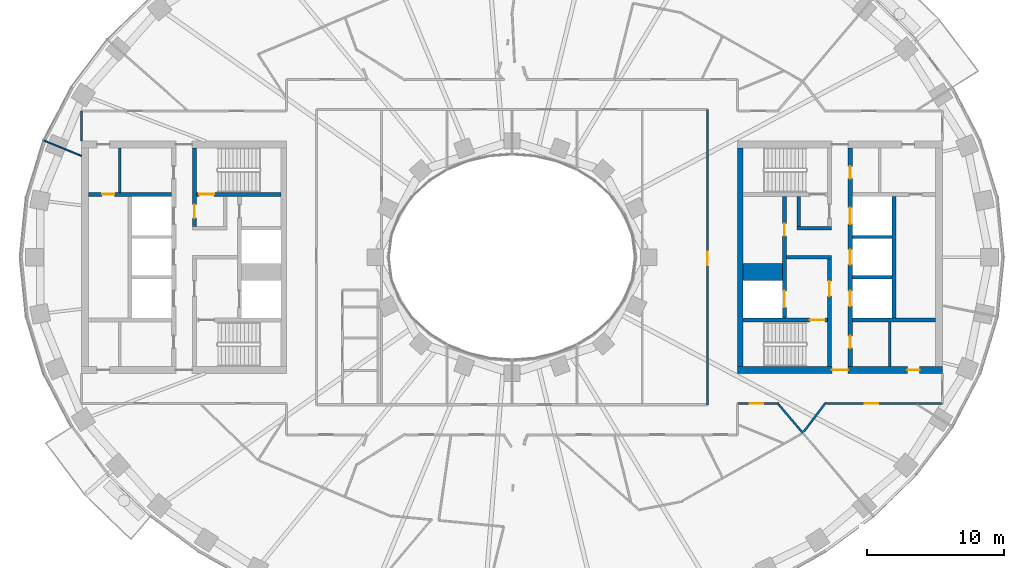
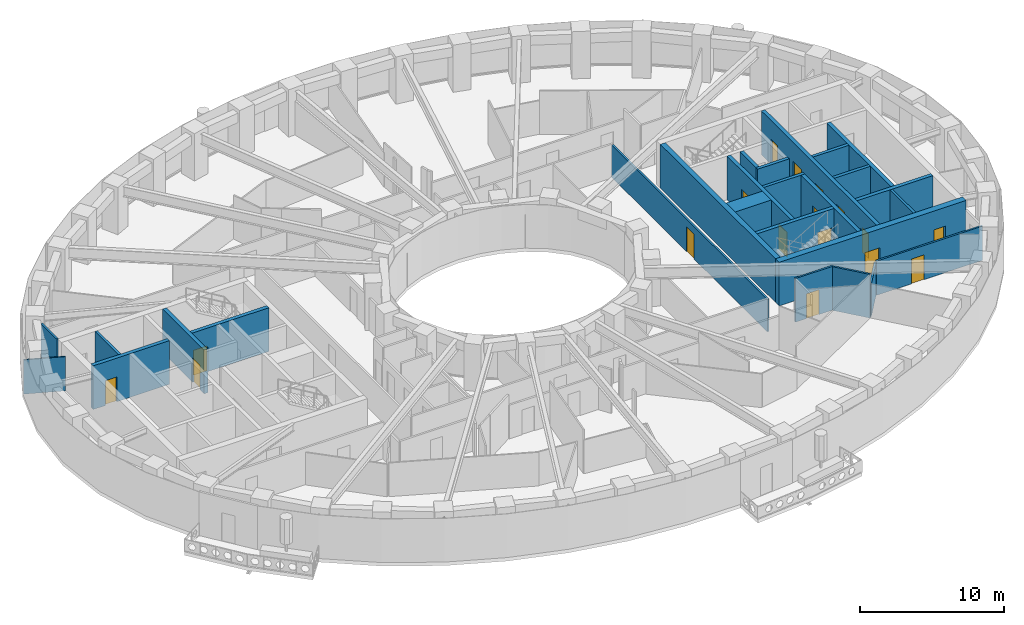
# One storey, part 5 of 16: 26 walls, 17 doors, 17 openings.
"""IFC4 building model written with IfcOpenShell, lengths in metres."""

from ifc_helpers import new_model, si_unit, direction, frame, frame_2d, origin, place, context, subcontext, project, spatial, rectangle, extrude, material, layer, layer_set, type_object, element, fill, save


model = new_model("IFC4")

# Units and contexts
model_context = context("Model", 3, precision=1e-05, world=origin(), true_north=direction((0.0, 1.0)))
body_context = subcontext(model_context, "Body", "Model", "MODEL_VIEW")
ifc_project = project(units=[si_unit("LENGTHUNIT", "METRE"), si_unit("AREAUNIT", "SQUARE_METRE"), si_unit("VOLUMEUNIT", "CUBIC_METRE"), si_unit("PLANEANGLEUNIT", "RADIAN"), si_unit("MASSUNIT", "GRAM", prefix="KILO")], contexts=[model_context])

# Site, building, storey
site_placement = place(None, origin())
site = spatial("IfcSite", under=ifc_project, at=site_placement, CompositionType="ELEMENT")
building_placement = place(site_placement, origin())
building = spatial("IfcBuilding", under=site, at=building_placement, Name="Noorbagh Ring Tower", CompositionType="ELEMENT")
storey_placement = place(building_placement, frame((0.0, 0.0, 96.0)))
storey = spatial("IfcBuildingStorey", under=building, at=storey_placement, Name="L21", CompositionType="ELEMENT", Elevation=96.0)

# Walls
ifc_material_1 = material(Name="Gypsum board on steel studs", Category="steel")
ifc_layer_1 = layer(ifc_material_1, 0.199951171875)
ifc_layer_set_1 = layer_set([ifc_layer_1], Name="Gypsum board on steel studs")
wall_type_1 = type_object("IfcWallType", Name="CORE-PARTITION-200", PredefinedType="PARTITIONING", material=ifc_layer_set_1)
for number, where, z_axis, x_axis, name in (
    (1, (-28.699951171875, 4.75, 0.0), (0.0, 0.0, 1.0), (0.0, 1.0, 0.0), "Core partition W"),
    (2, (27.64990234375, -8.0, 0.0), (0.0, 0.0, 1.0), (0.0, 1.0, 0.0), "Core partition E"),
):
    element("IfcWall", number, at=place(storey_placement, frame(where, z_axis=z_axis, x_axis=x_axis)), inside=storey, type_object=wall_type_1, Name=name, PredefinedType="PARTITIONING", context=body_context, shape_type="SweptSolid", body=[
        extrude(rectangle(XDim=3.25, YDim=0.199951171875, at=frame_2d((1.625, 0.0))), origin(), (0.0, 0.0, 1.0), 3.699951171875),
    ])
ifc_material_2 = material(Name="Concrete C70/85", Category="concrete")
ifc_layer_2 = layer(ifc_material_2, 1.25)
ifc_layer_set_2 = layer_set([ifc_layer_2], Name="Concrete C70/85")
wall_type_2 = type_object("IfcWallType", Name="CORE-WALL-1250-C70-85-EI120", PredefinedType="SHEAR", material=ifc_layer_set_2)
wall_1_placement = place(storey_placement, frame((16.89990234375, -1.074951171875, 0.0), z_axis=(0.0, 0.0, 1.0), x_axis=(1.0, 0.0, 0.0)))
element("IfcWall", 3, at=wall_1_placement, inside=storey, type_object=wall_type_2, Name="Core wall E", PredefinedType="SHEAR", context=body_context, shape_type="SweptSolid", body=[
    extrude(rectangle(XDim=2.900146484375, YDim=1.25, at=frame_2d((1.4501953125, 0.0))), origin(), (0.0, 0.0, 1.0), 3.699951171875),
])
ifc_material_3 = material(Name="Concrete C70/85", Category="concrete")
ifc_layer_3 = layer(ifc_material_3, 0.25)
ifc_layer_set_3 = layer_set([ifc_layer_3], Name="Concrete C70/85")
wall_type_3 = type_object("IfcWallType", Name="CORE-WALL-250-C70-85-EI120", PredefinedType="SHEAR", material=ifc_layer_set_3)
for number, where, z_axis, x_axis, name in (
    (4, (24.89990234375, -1.47509765625, 0.0), (0.0, 0.0, 1.0), (1.0, 0.0, 0.0), "Core wall E"),
    (5, (24.89990234375, 1.47509765625, 0.0), (0.0, 0.0, 1.0), (1.0, 0.0, 0.0), "Core wall E"),
):
    element("IfcWall", number, at=place(storey_placement, frame(where, z_axis=z_axis, x_axis=x_axis)), inside=storey, type_object=wall_type_3, Name=name, PredefinedType="SHEAR", context=body_context, shape_type="SweptSolid", body=[
        extrude(rectangle(XDim=2.900146484375, YDim=0.25, at=frame_2d((1.4501953125, 0.0))), origin(), (0.0, 0.0, 1.0), 3.699951171875),
    ])
ifc_material_4 = material(Name="Concrete C70/85", Category="concrete")
ifc_layer_4 = layer(ifc_material_4, 0.25)
ifc_layer_set_4 = layer_set([ifc_layer_4], Name="Concrete C70/85")
wall_type_4 = type_object("IfcWallType", Name="CORE-WALL-250-C70-85-EI240", PredefinedType="SHEAR", material=ifc_layer_set_4)
wall_2_placement = place(storey_placement, frame((20.10009765625, 0.0, 0.0), z_axis=(0.0, 0.0, 1.0), x_axis=(1.0, 0.0, 0.0)))
element("IfcWall", 6, at=wall_2_placement, inside=storey, type_object=wall_type_4, Name="Core wall E", PredefinedType="SHEAR", context=body_context, shape_type="SweptSolid", body=[
    extrude(rectangle(XDim=3.27978515625, YDim=0.25, at=frame_2d((1.639892578125, 0.0))), origin(), (0.0, 0.0, 1.0), 3.699951171875),
])
wall_3_placement = place(storey_placement, frame((20.85009765625, 2.125, 0.0), z_axis=(0.0, 0.0, 1.0), x_axis=(1.0, 0.0, 0.0)))
element("IfcWall", 7, at=wall_3_placement, inside=storey, type_object=wall_type_4, Name="Core wall E", PredefinedType="SHEAR", context=body_context, shape_type="SweptSolid", body=[
    extrude(rectangle(XDim=2.52978515625, YDim=0.25, at=frame_2d((1.264892578125, 0.0))), origin(), (0.0, 0.0, 1.0), 3.699951171875),
])
wall_4_placement = place(storey_placement, frame((20.97509765625, 2.25, 0.0), z_axis=(0.0, 0.0, 1.0), x_axis=(0.0, 1.0, 0.0)))
element("IfcWall", 8, at=wall_4_placement, inside=storey, type_object=wall_type_4, Name="Core wall E", PredefinedType="SHEAR", context=body_context, shape_type="SweptSolid", body=[
    extrude(rectangle(XDim=2.199951171875, YDim=0.25, at=frame_2d((1.10009765625, 0.0))), origin(), (0.0, 0.0, 1.0), 3.699951171875),
])
ifc_material_5 = material(Name="Concrete C70/85", Category="concrete")
ifc_layer_5 = layer(ifc_material_5, 0.300048828125)
ifc_layer_set_5 = layer_set([ifc_layer_5], Name="Concrete C70/85")
wall_type_5 = type_object("IfcWallType", Name="CORE-WALL-300-C70-85-EI120", PredefinedType="SHEAR", material=ifc_layer_set_5)
wall_5_placement = place(storey_placement, frame((27.949951171875, -4.449951171875, 0.0), z_axis=(0.0, 0.0, 1.0), x_axis=(0.0, 1.0, 0.0)))
element("IfcWall", 9, at=wall_5_placement, inside=storey, type_object=wall_type_5, Name="Core wall E", PredefinedType="SHEAR", context=body_context, shape_type="SweptSolid", body=[
    extrude(rectangle(XDim=8.89990234375, YDim=0.300048828125, at=frame_2d((4.449951171875, 0.0))), origin(), (0.0, 0.0, 1.0), 3.699951171875),
])

# Wall, openings, doors
wall_6_placement = place(storey_placement, frame((19.949951171875, -4.449951171875, 0.0), z_axis=(0.0, 0.0, 1.0), x_axis=(0.0, 1.0, 0.0)))
wall_6 = element("IfcWall", 10, at=wall_6_placement, inside=storey, type_object=wall_type_5, Name="Core wall E", PredefinedType="SHEAR", context=body_context, shape_type="SweptSolid", body=[
    extrude(rectangle(XDim=8.89990234375, YDim=0.300048828125, at=frame_2d((4.449951171875, 0.0))), origin(), (0.0, 0.0, 1.0), 3.699951171875),
])
opening_1_placement = place(wall_6_placement, frame((0.77490234375, 0.0, 0.0)))
opening_1 = element("IfcOpeningElement", 11, at=opening_1_placement, cuts=wall_6, Name="Opening L21-CE01", PredefinedType="OPENING", context=body_context, shape_type="SweptSolid", body=[
    extrude(rectangle(XDim=1.199951171875, YDim=2.10009765625, at=frame_2d((0.60009765625, 1.050048828125))), frame((0.0, 0.16015625, 0.0), z_axis=(0.0, -1.0, 0.0), x_axis=(1.0, 0.0, 0.0)), (0.0, 0.0, 1.0), 0.320068359375),
])
opening_2_placement = place(wall_6_placement, frame((6.0, 0.0, 0.0)))
opening_2 = element("IfcOpeningElement", 12, at=opening_2_placement, cuts=wall_6, Name="Opening L21-CE11", PredefinedType="OPENING", context=body_context, shape_type="SweptSolid", body=[
    extrude(rectangle(XDim=0.89990234375, YDim=2.10009765625, at=frame_2d((0.449951171875, 1.050048828125))), frame((0.0, 0.16015625, 0.0), z_axis=(0.0, -1.0, 0.0), x_axis=(1.0, 0.0, 0.0)), (0.0, 0.0, 1.0), 0.320068359375),
])
ifc_material_6 = material(Name="Steel door leaf", Category="steel")
door_type_1 = type_object("IfcDoorType", Name="CORE-DOOR-DROOM", OperationType="SINGLE_SWING_LEFT", PredefinedType="DOOR", material=ifc_material_6)
door_1_placement = place(opening_2_placement, origin())
door_1 = element("IfcDoor", 13, at=door_1_placement, inside=storey, type_object=door_type_1, Name="Core room door L21-CE11", OperationType="SINGLE_SWING_RIGHT", OverallHeight=2.10009765625, OverallWidth=0.89990234375, PredefinedType="DOOR", context=body_context, shape_type="SweptSolid", body=[
    extrude(rectangle(XDim=0.89990234375, YDim=2.10009765625, at=frame_2d((0.449951171875, 1.050048828125))), frame((0.0, 0.02490234375, 0.0), z_axis=(0.0, -1.0, 0.0), x_axis=(1.0, 0.0, 0.0)), (0.0, 0.0, 1.0), 0.050048828125),
])
fill(opening_2, door_1)
ifc_material_7 = material(Name="Steel door leaf", Category="steel")
door_type_2 = type_object("IfcDoorType", Name="CORE-DOOR-LDW", OperationType="DOUBLE_DOOR_SLIDING", PredefinedType="DOOR", material=ifc_material_7)
door_2_placement = place(opening_1_placement, origin())
door_2 = element("IfcDoor", 14, at=door_2_placement, inside=storey, type_object=door_type_2, Name="Landing door FF2 L21-CE01", OperationType="DOUBLE_DOOR_SLIDING", OverallHeight=2.10009765625, OverallWidth=1.199951171875, PredefinedType="DOOR", context=body_context, shape_type="SweptSolid", body=[
    extrude(rectangle(XDim=1.199951171875, YDim=2.10009765625, at=frame_2d((0.60009765625, 1.050048828125))), frame((0.0, 0.02490234375, 0.0), z_axis=(0.0, -1.0, 0.0), x_axis=(1.0, 0.0, 0.0)), (0.0, 0.0, 1.0), 0.050048828125),
])
fill(opening_1, door_2)

wall_7_placement = place(storey_placement, frame((24.75, -8.0, 0.0), z_axis=(0.0, 0.0, 1.0), x_axis=(0.0, 1.0, 0.0)))
wall_7 = element("IfcWall", 15, at=wall_7_placement, inside=storey, type_object=wall_type_5, Name="Core wall E", PredefinedType="SHEAR", context=body_context, shape_type="SweptSolid", body=[
    extrude(rectangle(XDim=16.0, YDim=0.300048828125, at=frame_2d((8.0, 0.0))), origin(), (0.0, 0.0, 1.0), 3.699951171875),
])
opening_3_placement = place(wall_7_placement, frame((4.425048828125, 0.0, 0.0)))
opening_3 = element("IfcOpeningElement", 16, at=opening_3_placement, cuts=wall_7, Name="Opening L21-CE02", PredefinedType="OPENING", context=body_context, shape_type="SweptSolid", body=[
    extrude(rectangle(XDim=1.10009765625, YDim=2.10009765625, at=frame_2d((0.550048828125, 1.050048828125))), frame((0.0, 0.16015625, 0.0), z_axis=(0.0, -1.0, 0.0), x_axis=(1.0, 0.0, 0.0)), (0.0, 0.0, 1.0), 0.320068359375),
])
opening_4_placement = place(wall_7_placement, frame((7.449951171875, 0.0, 0.0)))
opening_4 = element("IfcOpeningElement", 17, at=opening_4_placement, cuts=wall_7, Name="Opening L21-CE03", PredefinedType="OPENING", context=body_context, shape_type="SweptSolid", body=[
    extrude(rectangle(XDim=1.10009765625, YDim=2.10009765625, at=frame_2d((0.550048828125, 1.050048828125))), frame((0.0, 0.16015625, 0.0), z_axis=(0.0, -1.0, 0.0), x_axis=(1.0, 0.0, 0.0)), (0.0, 0.0, 1.0), 0.320068359375),
])
opening_5_placement = place(wall_7_placement, frame((10.425048828125, 0.0, 0.0)))
opening_5 = element("IfcOpeningElement", 18, at=opening_5_placement, cuts=wall_7, Name="Opening L21-CE04", PredefinedType="OPENING", context=body_context, shape_type="SweptSolid", body=[
    extrude(rectangle(XDim=1.199951171875, YDim=2.10009765625, at=frame_2d((0.60009765625, 1.050048828125))), frame((0.0, 0.16015625, 0.0), z_axis=(0.0, -1.0, 0.0), x_axis=(1.0, 0.0, 0.0)), (0.0, 0.0, 1.0), 0.320068359375),
])
opening_6_placement = place(wall_7_placement, frame((13.75, 0.0, 0.0)))
opening_6 = element("IfcOpeningElement", 19, at=opening_6_placement, cuts=wall_7, Name="Opening L21-CE12", PredefinedType="OPENING", context=body_context, shape_type="SweptSolid", body=[
    extrude(rectangle(XDim=0.89990234375, YDim=2.10009765625, at=frame_2d((0.449951171875, 1.050048828125))), frame((0.0, 0.16015625, 0.0), z_axis=(0.0, -1.0, 0.0), x_axis=(1.0, 0.0, 0.0)), (0.0, 0.0, 1.0), 0.320068359375),
])
opening_7_placement = place(wall_7_placement, frame((1.35009765625, 0.0, 0.0)))
opening_7 = element("IfcOpeningElement", 20, at=opening_7_placement, cuts=wall_7, Name="Opening L21-CE14", PredefinedType="OPENING", context=body_context, shape_type="SweptSolid", body=[
    extrude(rectangle(XDim=0.89990234375, YDim=2.10009765625, at=frame_2d((0.449951171875, 1.050048828125))), frame((0.0, 0.16015625, 0.0), z_axis=(0.0, -1.0, 0.0), x_axis=(1.0, 0.0, 0.0)), (0.0, 0.0, 1.0), 0.320068359375),
])
door_3_placement = place(opening_6_placement, origin())
door_3 = element("IfcDoor", 21, at=door_3_placement, inside=storey, type_object=door_type_1, Name="Core room door L21-CE12", OperationType="SINGLE_SWING_LEFT", OverallHeight=2.10009765625, OverallWidth=0.89990234375, PredefinedType="DOOR", context=body_context, shape_type="SweptSolid", body=[
    extrude(rectangle(XDim=0.89990234375, YDim=2.10009765625, at=frame_2d((0.449951171875, 1.050048828125))), frame((0.0, 0.02490234375, 0.0), z_axis=(0.0, -1.0, 0.0), x_axis=(1.0, 0.0, 0.0)), (0.0, 0.0, 1.0), 0.050048828125),
])
fill(opening_6, door_3)
door_4_placement = place(opening_7_placement, origin())
door_4 = element("IfcDoor", 22, at=door_4_placement, inside=storey, type_object=door_type_1, Name="Core room door L21-CE14", OperationType="SINGLE_SWING_RIGHT", OverallHeight=2.10009765625, OverallWidth=0.89990234375, PredefinedType="DOOR", context=body_context, shape_type="SweptSolid", body=[
    extrude(rectangle(XDim=0.89990234375, YDim=2.10009765625, at=frame_2d((0.449951171875, 1.050048828125))), frame((0.0, 0.02490234375, 0.0), z_axis=(0.0, -1.0, 0.0), x_axis=(1.0, 0.0, 0.0)), (0.0, 0.0, 1.0), 0.050048828125),
])
fill(opening_7, door_4)
ifc_material_8 = material(Name="Steel door leaf", Category="steel")
door_type_3 = type_object("IfcDoorType", Name="CORE-DOOR-LD", OperationType="DOUBLE_DOOR_SLIDING", PredefinedType="DOOR", material=ifc_material_8)
door_5_placement = place(opening_3_placement, origin())
door_5 = element("IfcDoor", 23, at=door_5_placement, inside=storey, type_object=door_type_3, Name="Landing door LR3 L21-CE02", OperationType="DOUBLE_DOOR_SLIDING", OverallHeight=2.10009765625, OverallWidth=1.10009765625, PredefinedType="DOOR", context=body_context, shape_type="SweptSolid", body=[
    extrude(rectangle(XDim=1.10009765625, YDim=2.10009765625, at=frame_2d((0.550048828125, 1.050048828125))), frame((0.0, 0.02490234375, 0.0), z_axis=(0.0, -1.0, 0.0), x_axis=(1.0, 0.0, 0.0)), (0.0, 0.0, 1.0), 0.050048828125),
])
fill(opening_3, door_5)
door_6_placement = place(opening_4_placement, origin())
door_6 = element("IfcDoor", 24, at=door_6_placement, inside=storey, type_object=door_type_3, Name="Landing door LR4 L21-CE03", OperationType="DOUBLE_DOOR_SLIDING", OverallHeight=2.10009765625, OverallWidth=1.10009765625, PredefinedType="DOOR", context=body_context, shape_type="SweptSolid", body=[
    extrude(rectangle(XDim=1.10009765625, YDim=2.10009765625, at=frame_2d((0.550048828125, 1.050048828125))), frame((0.0, 0.02490234375, 0.0), z_axis=(0.0, -1.0, 0.0), x_axis=(1.0, 0.0, 0.0)), (0.0, 0.0, 1.0), 0.050048828125),
])
fill(opening_4, door_6)
door_7_placement = place(opening_5_placement, origin())
door_7 = element("IfcDoor", 25, at=door_7_placement, inside=storey, type_object=door_type_2, Name="Landing door SV2 L21-CE04", OperationType="DOUBLE_DOOR_SLIDING", OverallHeight=2.10009765625, OverallWidth=1.199951171875, PredefinedType="DOOR", context=body_context, shape_type="SweptSolid", body=[
    extrude(rectangle(XDim=1.199951171875, YDim=2.10009765625, at=frame_2d((0.60009765625, 1.050048828125))), frame((0.0, 0.02490234375, 0.0), z_axis=(0.0, -1.0, 0.0), x_axis=(1.0, 0.0, 0.0)), (0.0, 0.0, 1.0), 0.050048828125),
])
fill(opening_5, door_7)

# Wall, opening, door
ifc_material_9 = material(Name="Concrete C70/85", Category="concrete")
ifc_layer_6 = layer(ifc_material_9, 0.300048828125)
ifc_layer_set_6 = layer_set([ifc_layer_6], Name="Concrete C70/85")
wall_type_6 = type_object("IfcWallType", Name="CORE-WALL-300-C70-85-EI240", PredefinedType="SHEAR", material=ifc_layer_set_6)
wall_8_placement = place(storey_placement, frame((-24.89990234375, 4.60009765625, 0.0), z_axis=(0.0, 0.0, 1.0), x_axis=(-1.0, 0.0, 0.0)))
wall_8 = element("IfcWall", 26, at=wall_8_placement, inside=storey, type_object=wall_type_6, Name="Core wall W", PredefinedType="SHEAR", context=body_context, shape_type="SweptSolid", body=[
    extrude(rectangle(XDim=6.10009765625, YDim=0.300048828125, at=frame_2d((3.050048828125, 0.0))), origin(), (0.0, 0.0, 1.0), 3.699951171875),
])
opening_8_placement = place(wall_8_placement, frame((4.199951171875, 0.0, 0.0)))
opening_8 = element("IfcOpeningElement", 27, at=opening_8_placement, cuts=wall_8, Name="Opening L21-CW16", PredefinedType="OPENING", context=body_context, shape_type="SweptSolid", body=[
    extrude(rectangle(XDim=0.89990234375, YDim=2.10009765625, at=frame_2d((0.449951171875, 1.050048828125))), frame((0.0, 0.16015625, 0.0), z_axis=(0.0, -1.0, 0.0), x_axis=(1.0, 0.0, 0.0)), (0.0, 0.0, 1.0), 0.320068359375),
])
door_8_placement = place(opening_8_placement, origin())
door_8 = element("IfcDoor", 28, at=door_8_placement, inside=storey, type_object=door_type_1, Name="Core room door L21-CW16", OperationType="SINGLE_SWING_LEFT", OverallHeight=2.10009765625, OverallWidth=0.89990234375, PredefinedType="DOOR", context=body_context, shape_type="SweptSolid", body=[
    extrude(rectangle(XDim=0.89990234375, YDim=2.10009765625, at=frame_2d((0.449951171875, 1.050048828125))), frame((0.0, 0.02490234375, 0.0), z_axis=(0.0, -1.0, 0.0), x_axis=(1.0, 0.0, 0.0)), (0.0, 0.0, 1.0), 0.050048828125),
])
fill(opening_8, door_8)

wall_9_placement = place(storey_placement, frame((-23.22998046875, 2.25, 0.0), z_axis=(0.0, 0.0, 1.0), x_axis=(0.0, 1.0, 0.0)))
wall_9 = element("IfcWall", 29, at=wall_9_placement, inside=storey, type_object=wall_type_6, Name="Core wall W", PredefinedType="SHEAR", context=body_context, shape_type="SweptSolid", body=[
    extrude(rectangle(XDim=5.75, YDim=0.300048828125, at=frame_2d((2.875, 0.0))), origin(), (0.0, 0.0, 1.0), 3.699951171875),
])
opening_9_placement = place(wall_9_placement, frame((0.60009765625, 0.0, 0.0)))
opening_9 = element("IfcOpeningElement", 30, at=opening_9_placement, cuts=wall_9, Name="Opening L21-CW08", PredefinedType="OPENING", context=body_context, shape_type="SweptSolid", body=[
    extrude(rectangle(XDim=1.0, YDim=2.10009765625, at=frame_2d((0.5, 1.050048828125))), frame((0.0, 0.16015625, 0.0), z_axis=(0.0, -1.0, 0.0), x_axis=(1.0, 0.0, 0.0)), (0.0, 0.0, 1.0), 0.320068359375),
])
ifc_material_10 = material(Name="Steel door leaf", Category="steel")
door_type_4 = type_object("IfcDoorType", Name="CORE-DOOR-DVEST", OperationType="SINGLE_SWING_LEFT", PredefinedType="DOOR", material=ifc_material_10)
door_9_placement = place(opening_9_placement, origin())
door_9 = element("IfcDoor", 31, at=door_9_placement, inside=storey, type_object=door_type_4, Name="Stair vestibule door L21-CW08", OperationType="SINGLE_SWING_LEFT", OverallHeight=2.10009765625, OverallWidth=1.0, PredefinedType="DOOR", context=body_context, shape_type="SweptSolid", body=[
    extrude(rectangle(XDim=1.0, YDim=2.10009765625, at=frame_2d((0.5, 1.050048828125))), frame((0.0, 0.02490234375, 0.0), z_axis=(0.0, -1.0, 0.0), x_axis=(1.0, 0.0, 0.0)), (0.0, 0.0, 1.0), 0.050048828125),
])
fill(opening_9, door_9)

wall_10_placement = place(storey_placement, frame((-16.89990234375, 4.60009765625, 0.0), z_axis=(0.0, 0.0, 1.0), x_axis=(-1.0, 0.0, 0.0)))
wall_10 = element("IfcWall", 32, at=wall_10_placement, inside=storey, type_object=wall_type_6, Name="Core wall W", PredefinedType="SHEAR", context=body_context, shape_type="SweptSolid", body=[
    extrude(rectangle(XDim=6.18017578125, YDim=0.300048828125, at=frame_2d((3.090087890625, 0.0))), origin(), (0.0, 0.0, 1.0), 3.699951171875),
])
opening_10_placement = place(wall_10_placement, frame((4.89990234375, 0.0, 0.0)))
opening_10 = element("IfcOpeningElement", 33, at=opening_10_placement, cuts=wall_10, Name="Opening L21-CW05", PredefinedType="OPENING", context=body_context, shape_type="SweptSolid", body=[
    extrude(rectangle(XDim=1.10009765625, YDim=2.10009765625, at=frame_2d((0.550048828125, 1.050048828125))), frame((0.0, 0.16015625, 0.0), z_axis=(0.0, -1.0, 0.0), x_axis=(1.0, 0.0, 0.0)), (0.0, 0.0, 1.0), 0.320068359375),
])
ifc_material_11 = material(Name="Steel door leaf", Category="steel")
door_type_5 = type_object("IfcDoorType", Name="CORE-DOOR-DSTAIR", OperationType="SINGLE_SWING_LEFT", PredefinedType="DOOR", material=ifc_material_11)
door_10_placement = place(opening_10_placement, origin())
door_10 = element("IfcDoor", 34, at=door_10_placement, inside=storey, type_object=door_type_5, Name="Stair door ST1 L21-CW05", OperationType="SINGLE_SWING_RIGHT", OverallHeight=2.10009765625, OverallWidth=1.10009765625, PredefinedType="DOOR", context=body_context, shape_type="SweptSolid", body=[
    extrude(rectangle(XDim=1.10009765625, YDim=2.10009765625, at=frame_2d((0.550048828125, 1.050048828125))), frame((0.0, 0.02490234375, 0.0), z_axis=(0.0, -1.0, 0.0), x_axis=(1.0, 0.0, 0.0)), (0.0, 0.0, 1.0), 0.050048828125),
])
fill(opening_10, door_10)

# Wall
wall_11_placement = place(storey_placement, frame((24.89990234375, -4.60009765625, 0.0), z_axis=(0.0, 0.0, 1.0), x_axis=(1.0, 0.0, 0.0)))
element("IfcWall", 35, at=wall_11_placement, inside=storey, type_object=wall_type_6, Name="Core wall E", PredefinedType="SHEAR", context=body_context, shape_type="SweptSolid", body=[
    extrude(rectangle(XDim=6.10009765625, YDim=0.300048828125, at=frame_2d((3.050048828125, 0.0))), origin(), (0.0, 0.0, 1.0), 3.699951171875),
])

# Wall, opening, door
wall_12_placement = place(storey_placement, frame((23.22998046875, -8.0, 0.0), z_axis=(0.0, 0.0, 1.0), x_axis=(0.0, 1.0, 0.0)))
wall_12 = element("IfcWall", 36, at=wall_12_placement, inside=storey, type_object=wall_type_6, Name="Core wall E", PredefinedType="SHEAR", context=body_context, shape_type="SweptSolid", body=[
    extrude(rectangle(XDim=7.875, YDim=0.300048828125, at=frame_2d((3.9375, 0.0))), origin(), (0.0, 0.0, 1.0), 3.699951171875),
])
opening_11_placement = place(wall_12_placement, frame((5.14990234375, 0.0, 0.0)))
opening_11 = element("IfcOpeningElement", 37, at=opening_11_placement, cuts=wall_12, Name="Opening L21-CE07", PredefinedType="OPENING", context=body_context, shape_type="SweptSolid", body=[
    extrude(rectangle(XDim=1.10009765625, YDim=2.10009765625, at=frame_2d((0.550048828125, 1.050048828125))), frame((0.0, 0.16015625, 0.0), z_axis=(0.0, -1.0, 0.0), x_axis=(1.0, 0.0, 0.0)), (0.0, 0.0, 1.0), 0.320068359375),
])
ifc_material_12 = material(Name="Steel door leaf", Category="steel")
door_type_6 = type_object("IfcDoorType", Name="CORE-DOOR-DFF", OperationType="SINGLE_SWING_LEFT", PredefinedType="DOOR", material=ifc_material_12)
door_11_placement = place(opening_11_placement, origin())
door_11 = element("IfcDoor", 38, at=door_11_placement, inside=storey, type_object=door_type_6, Name="Firefighting lobby door L21-CE07", OperationType="SINGLE_SWING_RIGHT", OverallHeight=2.10009765625, OverallWidth=1.10009765625, PredefinedType="DOOR", context=body_context, shape_type="SweptSolid", body=[
    extrude(rectangle(XDim=1.10009765625, YDim=2.10009765625, at=frame_2d((0.550048828125, 1.050048828125))), frame((0.0, 0.02490234375, 0.0), z_axis=(0.0, -1.0, 0.0), x_axis=(1.0, 0.0, 0.0)), (0.0, 0.0, 1.0), 0.050048828125),
])
fill(opening_11, door_11)

wall_13_placement = place(storey_placement, frame((16.89990234375, -4.60009765625, 0.0), z_axis=(0.0, 0.0, 1.0), x_axis=(1.0, 0.0, 0.0)))
wall_13 = element("IfcWall", 39, at=wall_13_placement, inside=storey, type_object=wall_type_6, Name="Core wall E", PredefinedType="SHEAR", context=body_context, shape_type="SweptSolid", body=[
    extrude(rectangle(XDim=6.18017578125, YDim=0.300048828125, at=frame_2d((3.090087890625, 0.0))), origin(), (0.0, 0.0, 1.0), 3.699951171875),
])
opening_12_placement = place(wall_13_placement, frame((4.89990234375, 0.0, 0.0)))
opening_12 = element("IfcOpeningElement", 40, at=opening_12_placement, cuts=wall_13, Name="Opening L21-CE06", PredefinedType="OPENING", context=body_context, shape_type="SweptSolid", body=[
    extrude(rectangle(XDim=1.10009765625, YDim=2.10009765625, at=frame_2d((0.550048828125, 1.050048828125))), frame((0.0, 0.16015625, 0.0), z_axis=(0.0, -1.0, 0.0), x_axis=(1.0, 0.0, 0.0)), (0.0, 0.0, 1.0), 0.320068359375),
])
door_12_placement = place(opening_12_placement, origin())
door_12 = element("IfcDoor", 41, at=door_12_placement, inside=storey, type_object=door_type_5, Name="Stair door ST4 L21-CE06", OperationType="SINGLE_SWING_RIGHT", OverallHeight=2.10009765625, OverallWidth=1.10009765625, PredefinedType="DOOR", context=body_context, shape_type="SweptSolid", body=[
    extrude(rectangle(XDim=1.10009765625, YDim=2.10009765625, at=frame_2d((0.550048828125, 1.050048828125))), frame((0.0, 0.02490234375, 0.0), z_axis=(0.0, -1.0, 0.0), x_axis=(1.0, 0.0, 0.0)), (0.0, 0.0, 1.0), 0.050048828125),
])
fill(opening_12, door_12)

# Wall
ifc_material_13 = material(Name="Concrete C70/85", Category="concrete")
ifc_layer_7 = layer(ifc_material_13, 0.39990234375)
ifc_layer_set_7 = layer_set([ifc_layer_7], Name="Concrete C70/85")
wall_type_7 = type_object("IfcWallType", Name="CORE-WALL-400-C70-85-EI240", PredefinedType="SHEAR", material=ifc_layer_set_7)
wall_14_placement = place(storey_placement, frame((16.699951171875, -8.0, 0.0), z_axis=(0.0, 0.0, 1.0), x_axis=(0.0, 1.0, 0.0)))
element("IfcWall", 42, at=wall_14_placement, inside=storey, type_object=wall_type_7, Name="Core wall E", PredefinedType="SHEAR", context=body_context, shape_type="SweptSolid", body=[
    extrude(rectangle(XDim=16.0, YDim=0.39990234375, at=frame_2d((8.0, 0.0))), origin(), (0.0, 0.0, 1.0), 3.699951171875),
])

# Wall, openings, doors
ifc_material_14 = material(Name="Concrete C70/85", Category="concrete")
ifc_layer_8 = layer(ifc_material_14, 0.5)
ifc_layer_set_8 = layer_set([ifc_layer_8], Name="Concrete C70/85")
wall_type_8 = type_object("IfcWallType", Name="CORE-WALL-500-C70-85-EI240", PredefinedType="SHEAR", material=ifc_layer_set_8)
wall_15_placement = place(storey_placement, frame((16.5, -8.25, 0.0), z_axis=(0.0, 0.0, 1.0), x_axis=(1.0, 0.0, 0.0)))
wall_15 = element("IfcWall", 43, at=wall_15_placement, inside=storey, type_object=wall_type_8, Name="Core wall E", PredefinedType="SHEAR", context=body_context, shape_type="SweptSolid", body=[
    extrude(rectangle(XDim=15.0, YDim=0.5, at=frame_2d((7.5, 0.0))), origin(), (0.0, 0.0, 1.0), 3.699951171875),
])
opening_13_placement = place(wall_15_placement, frame((6.89990234375, 0.0, 0.0)))
opening_13 = element("IfcOpeningElement", 44, at=opening_13_placement, cuts=wall_15, Name="Opening L21-CE10", PredefinedType="OPENING", context=body_context, shape_type="SweptSolid", body=[
    extrude(rectangle(XDim=1.199951171875, YDim=2.10009765625, at=frame_2d((0.60009765625, 1.050048828125))), frame((0.0, 0.260009765625, 0.0), z_axis=(0.0, -1.0, 0.0), x_axis=(1.0, 0.0, 0.0)), (0.0, 0.0, 1.0), 0.52001953125),
])
opening_14_placement = place(wall_15_placement, frame((12.425048828125, 0.0, 0.0)))
opening_14 = element("IfcOpeningElement", 45, at=opening_14_placement, cuts=wall_15, Name="Opening L21-CE15", PredefinedType="OPENING", context=body_context, shape_type="SweptSolid", body=[
    extrude(rectangle(XDim=0.89990234375, YDim=2.10009765625, at=frame_2d((0.449951171875, 1.050048828125))), frame((0.0, 0.260009765625, 0.0), z_axis=(0.0, -1.0, 0.0), x_axis=(1.0, 0.0, 0.0)), (0.0, 0.0, 1.0), 0.52001953125),
])
door_13_placement = place(opening_14_placement, origin())
door_13 = element("IfcDoor", 46, at=door_13_placement, inside=storey, type_object=door_type_1, Name="Core room door L21-CE15", OperationType="SINGLE_SWING_RIGHT", OverallHeight=2.10009765625, OverallWidth=0.89990234375, PredefinedType="DOOR", context=body_context, shape_type="SweptSolid", body=[
    extrude(rectangle(XDim=0.89990234375, YDim=2.10009765625, at=frame_2d((0.449951171875, 1.050048828125))), frame((0.0, 0.02490234375, 0.0), z_axis=(0.0, -1.0, 0.0), x_axis=(1.0, 0.0, 0.0)), (0.0, 0.0, 1.0), 0.050048828125),
])
fill(opening_14, door_13)
ifc_material_15 = material(Name="Steel door leaf", Category="steel")
door_type_7 = type_object("IfcDoorType", Name="CORE-DOOR-PORT", OperationType="DOUBLE_DOOR_DOUBLE_SWING", PredefinedType="DOOR", material=ifc_material_15)
door_14_placement = place(opening_13_placement, origin())
door_14 = element("IfcDoor", 47, at=door_14_placement, inside=storey, type_object=door_type_7, Name="Core entrance door L21-CE10", OperationType="DOUBLE_DOOR_DOUBLE_SWING", OverallHeight=2.10009765625, OverallWidth=1.199951171875, PredefinedType="DOOR", context=body_context, shape_type="SweptSolid", body=[
    extrude(rectangle(XDim=1.199951171875, YDim=2.10009765625, at=frame_2d((0.60009765625, 1.050048828125))), frame((0.0, 0.02490234375, 0.0), z_axis=(0.0, -1.0, 0.0), x_axis=(1.0, 0.0, 0.0)), (0.0, 0.0, 1.0), 0.050048828125),
])
fill(opening_13, door_14)

# Wall
ifc_material_16 = material(Name="Gypsum board on steel studs", Category="steel")
ifc_layer_9 = layer(ifc_material_16, 0.14990234375)
ifc_layer_set_9 = layer_set([ifc_layer_9], Name="Gypsum board on steel studs")
wall_type_9 = type_object("IfcWallType", Name="CORRIDOR PARTITION 150 EI 30", PredefinedType="PARTITIONING", material=ifc_layer_set_9)
wall_16_placement = place(storey_placement, frame((-31.5, 8.5, 0.0), z_axis=(0.0, 0.0, 1.0), x_axis=(0.0, 1.0, 0.0)))
element("IfcWall", 48, at=wall_16_placement, inside=storey, type_object=wall_type_9, Name="L21/wall/P04", PredefinedType="PARTITIONING", context=body_context, shape_type="SweptSolid", body=[
    extrude(rectangle(XDim=2.199951171875, YDim=0.14990234375, at=frame_2d((1.10009765625, 0.0))), origin(), (0.0, 0.0, 1.0), 3.699951171875),
])

# Wall, opening, door
wall_17_placement = place(storey_placement, frame((14.300048828125, -10.800048828125, 0.0), z_axis=(0.0, 0.0, 1.0), x_axis=(0.0, 1.0, 0.0)))
wall_17 = element("IfcWall", 49, at=wall_17_placement, inside=storey, type_object=wall_type_9, Name="L21/wall/P77", PredefinedType="PARTITIONING", context=body_context, shape_type="SweptSolid", body=[
    extrude(rectangle(XDim=21.60009765625, YDim=0.14990234375, at=frame_2d((10.800048828125, 0.0))), origin(), (0.0, 0.0, 1.0), 2.75),
])
opening_15_placement = place(wall_17_placement, frame((10.199951171875, 0.0, 0.0)))
opening_15 = element("IfcOpeningElement", 50, at=opening_15_placement, cuts=wall_17, Name="Opening D1", PredefinedType="OPENING", context=body_context, shape_type="SweptSolid", body=[
    extrude(rectangle(XDim=1.0, YDim=2.10009765625, at=frame_2d((0.5, 1.050048828125))), frame((0.0, 0.0849609375, 0.0), z_axis=(0.0, -1.0, 0.0), x_axis=(1.0, 0.0, 0.0)), (0.0, 0.0, 1.0), 0.169921875),
])
ifc_material_17 = material(Name="Timber, painted", Category="wood")
door_type_8 = type_object("IfcDoorType", Name="DOOR 1000 X 2100 FD30", OperationType="SINGLE_SWING_LEFT", PredefinedType="DOOR", material=ifc_material_17)
door_15_placement = place(opening_15_placement, origin())
door_15 = element("IfcDoor", 51, at=door_15_placement, inside=storey, type_object=door_type_8, Name="L21-D33", OperationType="SINGLE_SWING_LEFT", OverallHeight=2.10009765625, OverallWidth=1.0, PredefinedType="DOOR", context=body_context, shape_type="SweptSolid", body=[
    extrude(rectangle(XDim=1.0, YDim=2.10009765625, at=frame_2d((0.5, 1.050048828125))), frame((0.0, 0.02490234375, 0.0), z_axis=(0.0, -1.0, 0.0), x_axis=(1.0, 0.0, 0.0)), (0.0, 0.0, 1.0), 0.050048828125),
])
fill(opening_15, door_15)

wall_18_placement = place(storey_placement, frame((16.5, -10.699951171875, 0.0), z_axis=(0.0, 0.0, 1.0), x_axis=(1.0, 0.0, 0.0)))
wall_18 = element("IfcWall", 52, at=wall_18_placement, inside=storey, type_object=wall_type_9, Name="L21/wall/P79", PredefinedType="PARTITIONING", context=body_context, shape_type="SweptSolid", body=[
    extrude(rectangle(XDim=3.04296875, YDim=0.14990234375, at=frame_2d((1.521484375, 0.0))), origin(), (0.0, 0.0, 1.0), 3.699951171875),
])
opening_16_placement = place(wall_18_placement, frame((0.89990234375, 0.0, 0.0)))
opening_16 = element("IfcOpeningElement", 53, at=opening_16_placement, cuts=wall_18, Name="Opening D1", PredefinedType="OPENING", context=body_context, shape_type="SweptSolid", body=[
    extrude(rectangle(XDim=1.0, YDim=2.10009765625, at=frame_2d((0.5, 1.050048828125))), frame((0.0, 0.0849609375, 0.0), z_axis=(0.0, -1.0, 0.0), x_axis=(1.0, 0.0, 0.0)), (0.0, 0.0, 1.0), 0.169921875),
])
door_16_placement = place(opening_16_placement, origin())
door_16 = element("IfcDoor", 54, at=door_16_placement, inside=storey, type_object=door_type_8, Name="L21-D21", OperationType="SINGLE_SWING_LEFT", OverallHeight=2.10009765625, OverallWidth=1.0, PredefinedType="DOOR", context=body_context, shape_type="SweptSolid", body=[
    extrude(rectangle(XDim=1.0, YDim=2.10009765625, at=frame_2d((0.5, 1.050048828125))), frame((0.0, 0.02490234375, 0.0), z_axis=(0.0, -1.0, 0.0), x_axis=(1.0, 0.0, 0.0)), (0.0, 0.0, 1.0), 0.050048828125),
])
fill(opening_16, door_16)

# Walls
wall_19_placement = place(storey_placement, frame((19.510986328125, -10.778076171875, 0.0), z_axis=(0.0, 0.0, 1.0), x_axis=(0.64641426768, -0.762986628021, 0.0)))
element("IfcWall", 55, at=wall_19_placement, inside=storey, type_object=wall_type_9, Name="L21/wall/P84", PredefinedType="PARTITIONING", context=body_context, shape_type="SweptSolid", body=[
    extrude(rectangle(XDim=2.735107421875, YDim=0.14990234375, at=frame_2d((1.36767578125, 0.0))), origin(), (0.0, 0.0, 1.0), 3.699951171875),
])
wall_20_placement = place(storey_placement, frame((21.35498046875, -12.764892578125, 0.0), z_axis=(0.0, 0.0, 1.0), x_axis=(0.603391001626, 0.797445483502, 0.0)))
element("IfcWall", 56, at=wall_20_placement, inside=storey, type_object=wall_type_9, Name="L21/wall/P86", PredefinedType="PARTITIONING", context=body_context, shape_type="SweptSolid", body=[
    extrude(rectangle(XDim=2.6796875, YDim=0.14990234375, at=frame_2d((1.33984375, 0.0))), origin(), (0.0, 0.0, 1.0), 2.75),
])

# Wall, opening, door
wall_21_placement = place(storey_placement, frame((23.010986328125, -10.699951171875, 0.0), z_axis=(0.0, 0.0, 1.0), x_axis=(1.0, 0.0, 0.0)))
wall_21 = element("IfcWall", 57, at=wall_21_placement, inside=storey, type_object=wall_type_9, Name="L21/wall/P90", PredefinedType="PARTITIONING", context=body_context, shape_type="SweptSolid", body=[
    extrude(rectangle(XDim=8.489013671875, YDim=0.14990234375, at=frame_2d((4.24462890625, 0.0))), origin(), (0.0, 0.0, 1.0), 2.89990234375),
])
opening_17_placement = place(wall_21_placement, frame((2.805908203125, 0.0, 0.0)))
opening_17 = element("IfcOpeningElement", 58, at=opening_17_placement, cuts=wall_21, Name="Opening D1", PredefinedType="OPENING", context=body_context, shape_type="SweptSolid", body=[
    extrude(rectangle(XDim=1.0, YDim=2.10009765625, at=frame_2d((0.5, 1.050048828125))), frame((0.0, 0.0849609375, 0.0), z_axis=(0.0, -1.0, 0.0), x_axis=(1.0, 0.0, 0.0)), (0.0, 0.0, 1.0), 0.169921875),
])
door_17_placement = place(opening_17_placement, origin())
door_17 = element("IfcDoor", 59, at=door_17_placement, inside=storey, type_object=door_type_8, Name="L21-D23", OperationType="SINGLE_SWING_LEFT", OverallHeight=2.10009765625, OverallWidth=1.0, PredefinedType="DOOR", context=body_context, shape_type="SweptSolid", body=[
    extrude(rectangle(XDim=1.0, YDim=2.10009765625, at=frame_2d((0.5, 1.050048828125))), frame((0.0, 0.02490234375, 0.0), z_axis=(0.0, -1.0, 0.0), x_axis=(1.0, 0.0, 0.0)), (0.0, 0.0, 1.0), 0.050048828125),
])
fill(opening_17, door_17)

# Wall
ifc_material_18 = material(Name="Gypsum board on steel studs", Category="steel")
ifc_layer_10 = layer(ifc_material_18, 0.10009765625)
ifc_layer_set_10 = layer_set([ifc_layer_10], Name="Gypsum board on steel studs")
wall_type_10 = type_object("IfcWallType", Name="PARTITION 100 GYPSUM", PredefinedType="PARTITIONING", material=ifc_layer_set_10)
wall_22_placement = place(storey_placement, frame((-34.23388671875, 8.530029296875, 0.0), z_axis=(0.0, 0.0, 1.0), x_axis=(0.925344112436, -0.379128307542, 0.0)))
element("IfcWall", 60, at=wall_22_placement, inside=storey, type_object=wall_type_10, Name="L21/wall/P01", PredefinedType="PARTITIONING", context=body_context, shape_type="SweptSolid", body=[
    extrude(rectangle(XDim=2.954345703125, YDim=0.10009765625, at=frame_2d((1.47705078125, 0.0))), origin(), (0.0, 0.0, 1.0), 2.89990234375),
])

save(model, "model.ifc")
